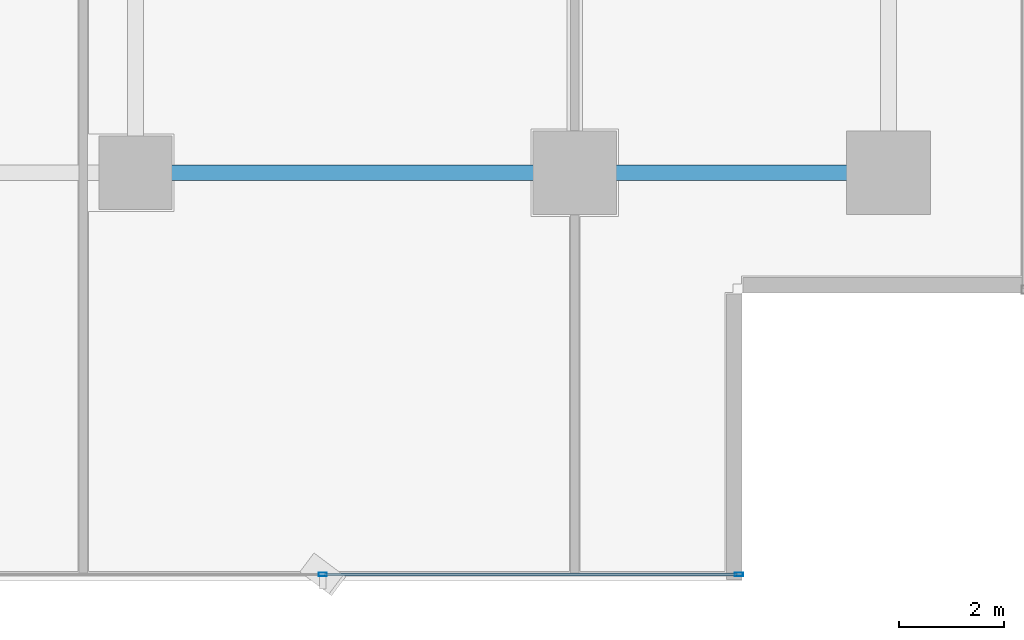
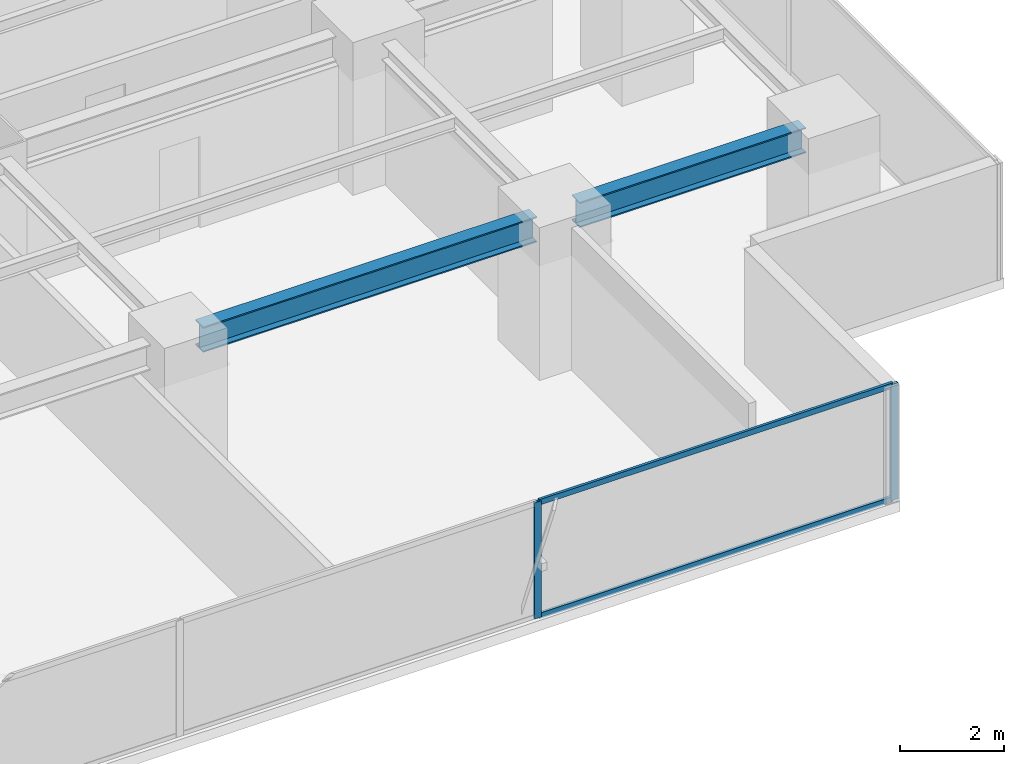
# One storey, part 12 of 35: 4 members, 2 beams, 1 element without a shape of its own.
"""IFC4 building model written with IfcOpenShell, lengths in metres."""

from ifc_helpers import new_model, si_unit, direction, frame, origin, origin_2d, place, context, subcontext, project, spatial, hollow_rectangle, i_section, extrude, source, transform, mapped, material, layer, layer_set, material_profile, profile_set, type_object, element, aggregate, save


model = new_model("IFC4")

# Units and contexts
model_context = context("Model", 3, precision=1e-05, world=origin(), true_north=direction((0.0, 1.0)))
body_context = subcontext(model_context, "Body", "Model", "MODEL_VIEW")
ifc_project = project(units=[si_unit("LENGTHUNIT", "METRE"), si_unit("AREAUNIT", "SQUARE_METRE"), si_unit("VOLUMEUNIT", "CUBIC_METRE"), si_unit("PLANEANGLEUNIT", "RADIAN"), si_unit("MASSUNIT", "GRAM", prefix="KILO")], contexts=[model_context])

# Site, building, storey
site_placement = place(None, origin())
site = spatial("IfcSite", under=ifc_project, at=site_placement, CompositionType="ELEMENT")
building_placement = place(site_placement, origin())
building = spatial("IfcBuilding", under=site, at=building_placement, Name="Sumidabori Civic Tower", CompositionType="ELEMENT")
storey_placement = place(building_placement, frame((0.0, 0.0, 102.800048828125)))
storey = spatial("IfcBuildingStorey", under=building, at=storey_placement, Name="L26", CompositionType="ELEMENT", Elevation=102.800048828125)

# Beams
ifc_material_1 = material(Name="Steel SN490", Category="steel")
ifc_material_profile_1 = material_profile(ifc_material_1, i_section(OverallWidth=0.300048828125, OverallDepth=0.60009765625, WebThickness=0.015380859375, FlangeThickness=0.030029296875, at=origin_2d()), Name="HE 600 B")
ifc_profile_set_1 = profile_set([ifc_material_profile_1], Name="Steel SN490")
beam_type = type_object("IfcBeamType", Name="BM-GIRD-600", PredefinedType="BEAM", material=ifc_profile_set_1)
shared_shape_1 = source(origin(), body_context, "Body", "SweptSolid", [
    extrude(i_section(OverallWidth=0.300048828125, OverallDepth=0.60009765625, WebThickness=0.015380859375, FlangeThickness=0.030029296875, at=origin_2d()), origin(), (0.0, 0.0, 1.0), 5.0400390625),
])
beam_1_placement = place(storey_placement, frame((17.280029296875, -18.0, 3.06005859375), z_axis=(1.0, 0.0, 0.0), x_axis=(0.0, 1.0, 0.0)))
element("IfcBeam", 1, at=beam_1_placement, inside=storey, type_object=beam_type, Name="Primary Girder L26 GX-06", PredefinedType="BEAM", context=body_context, shape_type="MappedRepresentation", body=[
    mapped(shared_shape_1, transform((0.0, 0.0, 0.0), x_axis=(1.0, 0.0, 0.0), y_axis=(0.0, 1.0, 0.0), z_axis=(0.0, 0.0, 1.0), scale=1.0)),
])
shared_shape_2 = source(origin(), body_context, "Body", "SweptSolid", [
    extrude(i_section(OverallWidth=0.300048828125, OverallDepth=0.60009765625, WebThickness=0.015380859375, FlangeThickness=0.030029296875, at=origin_2d()), origin(), (0.0, 0.0, 1.0), 7.440185546875),
])
beam_2_placement = place(storey_placement, frame((8.8798828125, -18.0, 3.06005859375), z_axis=(1.0, 0.0, 0.0), x_axis=(0.0, 1.0, 0.0)))
element("IfcBeam", 2, at=beam_2_placement, inside=storey, type_object=beam_type, Name="Primary Girder L26 GX-05", PredefinedType="BEAM", context=body_context, shape_type="MappedRepresentation", body=[
    mapped(shared_shape_2, transform((0.0, 0.0, 0.0), x_axis=(1.0, 0.0, 0.0), y_axis=(0.0, 1.0, 0.0), z_axis=(0.0, 0.0, 1.0), scale=1.0)),
])

# Curtain wall, members
ifc_material_2 = material(Name="Anodised Bronze Aluminium AW-6063-T6", Category="aluminium")
ifc_layer = layer(ifc_material_2, 0.179931640625, Name="Anodised Bronze Aluminium AW-6063-T6")
ifc_layer_set = layer_set([ifc_layer], Name="Anodised Bronze Aluminium AW-6063-T6")
curtain_wall_type = type_object("IfcCurtainWallType", Name="CW-SYS-3", PredefinedType="NOTDEFINED", material=ifc_layer_set)
curtain_wall_placement = place(storey_placement, origin())
curtain_wall = element("IfcCurtainWall", 3, at=curtain_wall_placement, inside=storey, type_object=curtain_wall_type, Name="Curtain Wall CW:L26:R01", PredefinedType="NOTDEFINED")
ifc_material_profile_2 = material_profile(ifc_material_2, hollow_rectangle(XDim=0.06494140625, YDim=0.159912109375, WallThickness=0.0048828125, at=origin_2d()), Name="ALU MULLION 160x65")
ifc_profile_set_2 = profile_set([ifc_material_profile_2], Name="Anodised Bronze Aluminium AW-6063-T6")
member_type_1 = type_object("IfcMemberType", Name="CW-MUL-160", PredefinedType="MULLION", material=ifc_profile_set_2)
shared_shape_3 = source(origin(), body_context, "Body", "SweptSolid", [
    extrude(hollow_rectangle(XDim=0.06494140625, YDim=0.159912109375, WallThickness=0.0048828125, at=origin_2d()), origin(), (0.0, 0.0, 1.0), 2.739990234375),
])
member_1_placement = place(storey_placement, frame((11.98193359375, -25.679931640625, 0.0), z_axis=(0.0, 0.0, 1.0), x_axis=(0.0, 1.0, 0.0)))
member_1 = element("IfcMember", 4, at=member_1_placement, type_object=member_type_1, Name="CW-3 mullion 5", PredefinedType="MULLION", context=body_context, shape_type="MappedRepresentation", body=[
    mapped(shared_shape_3, transform((0.0, 0.0, 0.0), x_axis=(1.0, 0.0, 0.0), y_axis=(0.0, 1.0, 0.0), z_axis=(0.0, 0.0, 1.0), scale=1.0)),
])
member_2_placement = place(storey_placement, frame((19.9375, -25.679931640625, 0.0), z_axis=(0.0, 0.0, 1.0), x_axis=(0.0, 1.0, 0.0)))
member_2 = element("IfcMember", 5, at=member_2_placement, type_object=member_type_1, Name="CW-3 mullion 6", PredefinedType="MULLION", context=body_context, shape_type="MappedRepresentation", body=[
    mapped(shared_shape_3, transform((0.0, 0.0, 0.0), x_axis=(1.0, 0.0, 0.0), y_axis=(0.0, 1.0, 0.0), z_axis=(0.0, 0.0, 1.0), scale=1.0)),
])
ifc_material_profile_3 = material_profile(ifc_material_2, hollow_rectangle(XDim=0.06005859375, YDim=0.1298828125, WallThickness=0.0048828125, at=origin_2d()), Name="ALU TRANSOM 130x60")
ifc_profile_set_3 = profile_set([ifc_material_profile_3], Name="Anodised Bronze Aluminium AW-6063-T6")
member_type_2 = type_object("IfcMemberType", Name="CW-TRN-130", PredefinedType="USERDEFINED", material=ifc_profile_set_3)
shared_shape_4 = source(origin(), body_context, "Body", "SweptSolid", [
    extrude(hollow_rectangle(XDim=0.06005859375, YDim=0.1298828125, WallThickness=0.0048828125, at=origin_2d()), origin(), (0.0, 0.0, 1.0), 7.890625),
])
member_3_placement = place(storey_placement, frame((12.014404296875, -25.679931640625, 0.030029296875), z_axis=(1.0, 0.0, 0.0), x_axis=(0.0, 1.0, 0.0)))
member_3 = element("IfcMember", 6, at=member_3_placement, type_object=member_type_2, Name="CW-3 transom 5.1", ObjectType="TRANSOM", PredefinedType="USERDEFINED", context=body_context, shape_type="MappedRepresentation", body=[
    mapped(shared_shape_4, transform((0.0, 0.0, 0.0), x_axis=(1.0, 0.0, 0.0), y_axis=(0.0, 1.0, 0.0), z_axis=(0.0, 0.0, 1.0), scale=1.0)),
])
member_4_placement = place(storey_placement, frame((12.014404296875, -25.679931640625, 2.7099609375), z_axis=(1.0, 0.0, 0.0), x_axis=(0.0, 1.0, 0.0)))
member_4 = element("IfcMember", 7, at=member_4_placement, type_object=member_type_2, Name="CW-3 transom 5.2", ObjectType="TRANSOM", PredefinedType="USERDEFINED", context=body_context, shape_type="MappedRepresentation", body=[
    mapped(shared_shape_4, transform((0.0, 0.0, 0.0), x_axis=(1.0, 0.0, 0.0), y_axis=(0.0, 1.0, 0.0), z_axis=(0.0, 0.0, 1.0), scale=1.0)),
])
aggregate(curtain_wall, [member_1, member_2, member_3, member_4])

save(model, "model.ifc")
